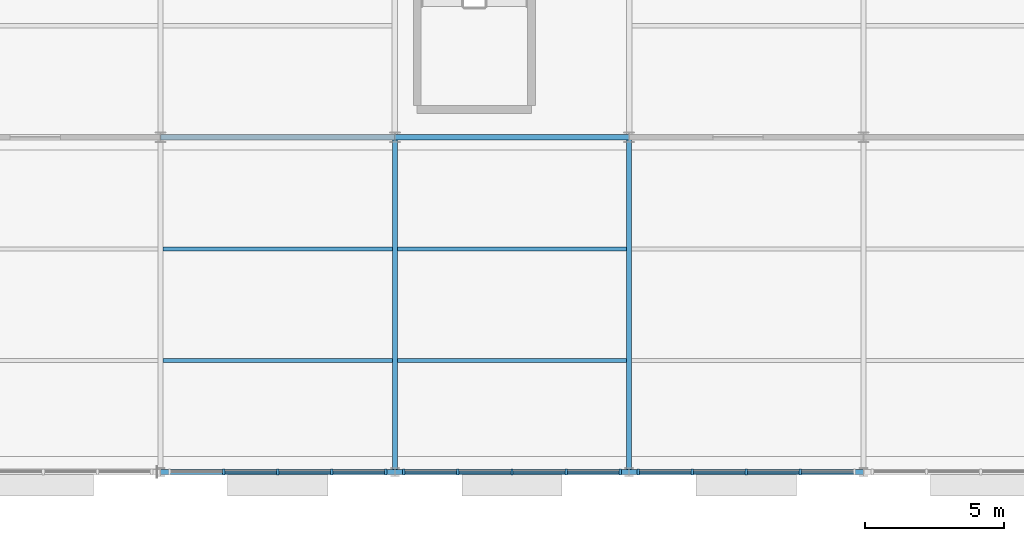
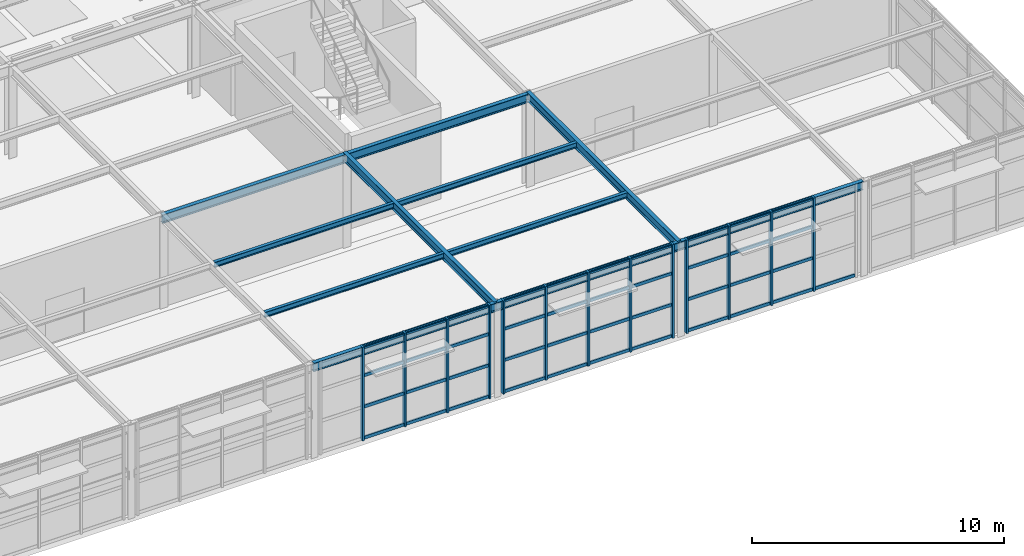
# One storey, part 38 of 82: 54 members, 11 beams, 3 elements without a shape of their own.
"""IFC4 building model written with IfcOpenShell, lengths in metres."""

from ifc_helpers import new_model, si_unit, direction, frame, origin, origin_2d, place, context, subcontext, project, spatial, rectangle, i_section, extrude, material, layer, layer_set, material_profile, profile_set, type_object, element, aggregate, save


model = new_model("IFC4")

# Units and contexts
model_context = context("Model", 3, precision=1e-05, world=origin(), true_north=direction((0.0, 1.0)))
body_context = subcontext(model_context, "Body", "Model", "MODEL_VIEW")
ifc_project = project(units=[si_unit("LENGTHUNIT", "METRE"), si_unit("AREAUNIT", "SQUARE_METRE"), si_unit("VOLUMEUNIT", "CUBIC_METRE"), si_unit("PLANEANGLEUNIT", "RADIAN"), si_unit("MASSUNIT", "GRAM", prefix="KILO")], contexts=[model_context])

# Site, building, storey
site_placement = place(None, origin())
site = spatial("IfcSite", under=ifc_project, at=site_placement, CompositionType="ELEMENT")
building_placement = place(site_placement, origin())
building = spatial("IfcBuilding", under=site, at=building_placement, Name="Sitalva Quay Ferry Terminal", CompositionType="ELEMENT")
storey_placement = place(building_placement, frame((0.0, 0.0, 5.39990234375)))
storey = spatial("IfcBuildingStorey", under=building, at=storey_placement, Name="L02", CompositionType="ELEMENT", Elevation=5.39990234375)

# Beams
ifc_material_1 = material(Name="Structural Steel S355JR", Category="steel")
ifc_material_profile_1 = material_profile(ifc_material_1, i_section(OverallWidth=0.178955078125, OverallDepth=0.409912109375, WebThickness=0.0087890625, FlangeThickness=0.014404296875, FilletRadius=0.012939453125, at=origin_2d()), Name="W410x67")
ifc_profile_set_1 = profile_set([ifc_material_profile_1], Name="Structural Steel S355JR")
beam_type_1 = type_object("IfcBeamType", Name="Beam_W410x67", PredefinedType="BEAM", material=ifc_profile_set_1)
for number, where, z_axis, x_axis, name in (
    (1, (142.800048828125, 6.0, 4.335205078125), (0.0, 1.0, 0.0), (-1.0, 0.0, 0.0), "L02 Primary Y girder 0735"),
    (2, (151.199951171875, 6.0, 4.335205078125), (0.0, 1.0, 0.0), (-1.0, 0.0, 0.0), "L02 Primary Y girder 0736"),
):
    element("IfcBeam", number, at=place(storey_placement, frame(where, z_axis=z_axis, x_axis=x_axis)), inside=storey, type_object=beam_type_1, Name=name, PredefinedType="BEAM", context=body_context, shape_type="SweptSolid", body=[
        extrude(i_section(OverallWidth=0.178955078125, OverallDepth=0.409912109375, WebThickness=0.0087890625, FlangeThickness=0.014404296875, FilletRadius=0.012939453125, at=origin_2d()), origin(), (0.0, 0.0, 1.0), 12.0),
    ])
ifc_material_2 = material(Name="Structural Steel S355JR", Category="steel")
ifc_material_profile_2 = material_profile(ifc_material_2, i_section(OverallWidth=0.180908203125, OverallDepth=0.4169921875, WebThickness=0.010986328125, FlangeThickness=0.018310546875, FilletRadius=0.012939453125, at=origin_2d()), Name="W410x85")
ifc_profile_set_2 = profile_set([ifc_material_profile_2], Name="Structural Steel S355JR")
beam_type_2 = type_object("IfcBeamType", Name="Beam_W410x85", PredefinedType="BEAM", material=ifc_profile_set_2)
beam_1_placement = place(storey_placement, frame((134.39990234375, 6.0, 4.33154296875), z_axis=(1.0, 0.0, 0.0), x_axis=(0.0, 1.0, 0.0)))
element("IfcBeam", 3, at=beam_1_placement, inside=storey, type_object=beam_type_2, Name="L02 Primary X girder 0715", PredefinedType="BEAM", context=body_context, shape_type="SweptSolid", body=[
    extrude(i_section(OverallWidth=0.180908203125, OverallDepth=0.4169921875, WebThickness=0.010986328125, FlangeThickness=0.018310546875, FilletRadius=0.012939453125, at=origin_2d()), origin(), (0.0, 0.0, 1.0), 8.400146484375),
])
beam_2_placement = place(storey_placement, frame((142.800048828125, 6.0, 4.33154296875), z_axis=(1.0, 0.0, 0.0), x_axis=(0.0, 1.0, 0.0)))
element("IfcBeam", 4, at=beam_2_placement, inside=storey, type_object=beam_type_2, Name="L02 Primary X girder 0716", PredefinedType="BEAM", context=body_context, shape_type="SweptSolid", body=[
    extrude(i_section(OverallWidth=0.180908203125, OverallDepth=0.4169921875, WebThickness=0.010986328125, FlangeThickness=0.018310546875, FilletRadius=0.012939453125, at=origin_2d()), origin(), (0.0, 0.0, 1.0), 8.39990234375),
])
for number, where, z_axis, x_axis, name in (
    (5, (151.199951171875, 6.0, 4.33154296875), (1.0, 0.0, 0.0), (0.0, 1.0, 0.0), "L02 Primary X girder 0717"),
    (6, (134.39990234375, 18.0, 4.24169921875), (1.0, 0.0, 0.0), (0.0, 1.0, 0.0), "L02 Primary X girder 0725"),
):
    element("IfcBeam", number, at=place(storey_placement, frame(where, z_axis=z_axis, x_axis=x_axis)), inside=storey, type_object=beam_type_2, Name=name, PredefinedType="BEAM", context=body_context, shape_type="SweptSolid", body=[
        extrude(i_section(OverallWidth=0.180908203125, OverallDepth=0.4169921875, WebThickness=0.010986328125, FlangeThickness=0.018310546875, FilletRadius=0.012939453125, at=origin_2d()), origin(), (0.0, 0.0, 1.0), 8.400146484375),
    ])
beam_3_placement = place(storey_placement, frame((142.800048828125, 18.0, 4.24169921875), z_axis=(1.0, 0.0, 0.0), x_axis=(0.0, 1.0, 0.0)))
element("IfcBeam", 7, at=beam_3_placement, inside=storey, type_object=beam_type_2, Name="L02 Primary X girder 0726", PredefinedType="BEAM", context=body_context, shape_type="SweptSolid", body=[
    extrude(i_section(OverallWidth=0.180908203125, OverallDepth=0.4169921875, WebThickness=0.010986328125, FlangeThickness=0.018310546875, FilletRadius=0.012939453125, at=origin_2d()), origin(), (0.0, 0.0, 1.0), 8.39990234375),
])
ifc_material_3 = material(Name="Structural Steel S355JR", Category="steel")
ifc_material_profile_3 = material_profile(ifc_material_3, i_section(OverallWidth=0.14697265625, OverallDepth=0.261962890625, WebThickness=0.006591796875, FlangeThickness=0.01123046875, FilletRadius=0.010009765625, at=origin_2d()), Name="W250x39")
ifc_profile_set_3 = profile_set([ifc_material_profile_3], Name="Structural Steel S355JR")
beam_type_3 = type_object("IfcBeamType", Name="Joist_W250x39", PredefinedType="JOIST", material=ifc_profile_set_3)
beam_4_placement = place(storey_placement, frame((134.489501953125, 10.0, 4.4091796875), z_axis=(1.0, 0.0, 0.0), x_axis=(0.0, 1.0, 0.0)))
element("IfcBeam", 8, at=beam_4_placement, inside=storey, type_object=beam_type_3, Name="L02 Secondary joist 0745", PredefinedType="JOIST", context=body_context, shape_type="SweptSolid", body=[
    extrude(i_section(OverallWidth=0.14697265625, OverallDepth=0.261962890625, WebThickness=0.006591796875, FlangeThickness=0.01123046875, FilletRadius=0.010009765625, at=origin_2d()), origin(), (0.0, 0.0, 1.0), 8.220947265625),
])
beam_5_placement = place(storey_placement, frame((142.889404296875, 10.0, 4.4091796875), z_axis=(1.0, 0.0, 0.0), x_axis=(0.0, 1.0, 0.0)))
element("IfcBeam", 9, at=beam_5_placement, inside=storey, type_object=beam_type_3, Name="L02 Secondary joist 0746", PredefinedType="JOIST", context=body_context, shape_type="SweptSolid", body=[
    extrude(i_section(OverallWidth=0.14697265625, OverallDepth=0.261962890625, WebThickness=0.006591796875, FlangeThickness=0.01123046875, FilletRadius=0.010009765625, at=origin_2d()), origin(), (0.0, 0.0, 1.0), 8.22119140625),
])
beam_6_placement = place(storey_placement, frame((134.489501953125, 14.0, 4.4091796875), z_axis=(1.0, 0.0, 0.0), x_axis=(0.0, 1.0, 0.0)))
element("IfcBeam", 10, at=beam_6_placement, inside=storey, type_object=beam_type_3, Name="L02 Secondary joist 0755", PredefinedType="JOIST", context=body_context, shape_type="SweptSolid", body=[
    extrude(i_section(OverallWidth=0.14697265625, OverallDepth=0.261962890625, WebThickness=0.006591796875, FlangeThickness=0.01123046875, FilletRadius=0.010009765625, at=origin_2d()), origin(), (0.0, 0.0, 1.0), 8.220947265625),
])
beam_7_placement = place(storey_placement, frame((142.889404296875, 14.0, 4.4091796875), z_axis=(1.0, 0.0, 0.0), x_axis=(0.0, 1.0, 0.0)))
element("IfcBeam", 11, at=beam_7_placement, inside=storey, type_object=beam_type_3, Name="L02 Secondary joist 0756", PredefinedType="JOIST", context=body_context, shape_type="SweptSolid", body=[
    extrude(i_section(OverallWidth=0.14697265625, OverallDepth=0.261962890625, WebThickness=0.006591796875, FlangeThickness=0.01123046875, FilletRadius=0.010009765625, at=origin_2d()), origin(), (0.0, 0.0, 1.0), 8.22119140625),
])

# Curtain wall, members
ifc_material_4 = material(Name="Anodised Aluminium & Low-E Glazing", Category="aluminium")
ifc_layer = layer(ifc_material_4, 0.159912109375)
ifc_layer_set = layer_set([ifc_layer], Name="Anodised Aluminium & Low-E Glazing")
curtain_wall_type = type_object("IfcCurtainWallType", Name="CW_Concourse_Unitised", PredefinedType="USERDEFINED", material=ifc_layer_set)
curtain_wall_1_placement = place(storey_placement, origin())
curtain_wall_1 = element("IfcCurtainWall", 12, at=curtain_wall_1_placement, inside=storey, type_object=curtain_wall_type, Name="L02 waterfront boarding concourse glazing (CW-L02-068)", ObjectType="CURTAIN_WALL", PredefinedType="USERDEFINED")
ifc_material_5 = material(Name="Anodised Aluminium 6063-T6", Category="aluminium")
ifc_material_profile_4 = material_profile(ifc_material_5, rectangle(XDim=0.0849609375, YDim=0.2099609375, at=origin_2d()), Name="ALU85x210")
ifc_profile_set_4 = profile_set([ifc_material_profile_4], Name="Anodised Aluminium 6063-T6")
member_type_1 = type_object("IfcMemberType", Name="Mullion_Alu_85x210", PredefinedType="MULLION", material=ifc_profile_set_4)
member_1_placement = place(storey_placement, frame((136.659912109375, 6.0, 0.0), z_axis=(0.0, 0.0, 1.0), x_axis=(1.0, 0.0, 0.0)))
member_1 = element("IfcMember", 13, at=member_1_placement, type_object=member_type_1, Name="CW-L02-068-M1", PredefinedType="MULLION", context=body_context, shape_type="SweptSolid", body=[
    extrude(rectangle(XDim=0.0849609375, YDim=0.2099609375, at=origin_2d()), origin(), (0.0, 0.0, 1.0), 4.5400390625),
])
member_2_placement = place(storey_placement, frame((138.60009765625, 6.0, 0.0), z_axis=(0.0, 0.0, 1.0), x_axis=(1.0, 0.0, 0.0)))
member_2 = element("IfcMember", 14, at=member_2_placement, type_object=member_type_1, Name="CW-L02-068-M2", PredefinedType="MULLION", context=body_context, shape_type="SweptSolid", body=[
    extrude(rectangle(XDim=0.0849609375, YDim=0.2099609375, at=origin_2d()), origin(), (0.0, 0.0, 1.0), 4.5400390625),
])
member_3_placement = place(storey_placement, frame((140.5400390625, 6.0, 0.0), z_axis=(0.0, 0.0, 1.0), x_axis=(1.0, 0.0, 0.0)))
member_3 = element("IfcMember", 15, at=member_3_placement, type_object=member_type_1, Name="CW-L02-068-M3", PredefinedType="MULLION", context=body_context, shape_type="SweptSolid", body=[
    extrude(rectangle(XDim=0.0849609375, YDim=0.2099609375, at=origin_2d()), origin(), (0.0, 0.0, 1.0), 4.5400390625),
])
member_4_placement = place(storey_placement, frame((142.47998046875, 6.0, 0.0), z_axis=(0.0, 0.0, 1.0), x_axis=(1.0, 0.0, 0.0)))
member_4 = element("IfcMember", 16, at=member_4_placement, type_object=member_type_1, Name="CW-L02-068-M4", PredefinedType="MULLION", context=body_context, shape_type="SweptSolid", body=[
    extrude(rectangle(XDim=0.0849609375, YDim=0.2099609375, at=origin_2d()), origin(), (0.0, 0.0, 1.0), 4.5400390625),
])

curtain_wall_2_placement = place(storey_placement, origin())
curtain_wall_2 = element("IfcCurtainWall", 17, at=curtain_wall_2_placement, inside=storey, type_object=curtain_wall_type, Name="L02 waterfront boarding concourse glazing (CW-L02-069)", ObjectType="CURTAIN_WALL", PredefinedType="USERDEFINED")
member_5_placement = place(storey_placement, frame((143.1201171875, 6.0, 0.0), z_axis=(0.0, 0.0, 1.0), x_axis=(1.0, 0.0, 0.0)))
member_5 = element("IfcMember", 18, at=member_5_placement, type_object=member_type_1, Name="CW-L02-069-M0", PredefinedType="MULLION", context=body_context, shape_type="SweptSolid", body=[
    extrude(rectangle(XDim=0.0849609375, YDim=0.2099609375, at=origin_2d()), origin(), (0.0, 0.0, 1.0), 4.5400390625),
])
member_6_placement = place(storey_placement, frame((145.06005859375, 6.0, 0.0), z_axis=(0.0, 0.0, 1.0), x_axis=(1.0, 0.0, 0.0)))
member_6 = element("IfcMember", 19, at=member_6_placement, type_object=member_type_1, Name="CW-L02-069-M1", PredefinedType="MULLION", context=body_context, shape_type="SweptSolid", body=[
    extrude(rectangle(XDim=0.0849609375, YDim=0.2099609375, at=origin_2d()), origin(), (0.0, 0.0, 1.0), 4.5400390625),
])
member_7_placement = place(storey_placement, frame((147.0, 6.0, 0.0), z_axis=(0.0, 0.0, 1.0), x_axis=(1.0, 0.0, 0.0)))
member_7 = element("IfcMember", 20, at=member_7_placement, type_object=member_type_1, Name="CW-L02-069-M2", PredefinedType="MULLION", context=body_context, shape_type="SweptSolid", body=[
    extrude(rectangle(XDim=0.0849609375, YDim=0.2099609375, at=origin_2d()), origin(), (0.0, 0.0, 1.0), 4.5400390625),
])
member_8_placement = place(storey_placement, frame((148.93994140625, 6.0, 0.0), z_axis=(0.0, 0.0, 1.0), x_axis=(1.0, 0.0, 0.0)))
member_8 = element("IfcMember", 21, at=member_8_placement, type_object=member_type_1, Name="CW-L02-069-M3", PredefinedType="MULLION", context=body_context, shape_type="SweptSolid", body=[
    extrude(rectangle(XDim=0.0849609375, YDim=0.2099609375, at=origin_2d()), origin(), (0.0, 0.0, 1.0), 4.5400390625),
])
member_9_placement = place(storey_placement, frame((150.8798828125, 6.0, 0.0), z_axis=(0.0, 0.0, 1.0), x_axis=(1.0, 0.0, 0.0)))
member_9 = element("IfcMember", 22, at=member_9_placement, type_object=member_type_1, Name="CW-L02-069-M4", PredefinedType="MULLION", context=body_context, shape_type="SweptSolid", body=[
    extrude(rectangle(XDim=0.0849609375, YDim=0.2099609375, at=origin_2d()), origin(), (0.0, 0.0, 1.0), 4.5400390625),
])

curtain_wall_3_placement = place(storey_placement, origin())
curtain_wall_3 = element("IfcCurtainWall", 23, at=curtain_wall_3_placement, inside=storey, type_object=curtain_wall_type, Name="L02 waterfront boarding concourse glazing (CW-L02-071)", ObjectType="CURTAIN_WALL", PredefinedType="USERDEFINED")
member_10_placement = place(storey_placement, frame((151.52001953125, 6.0, 0.0), z_axis=(0.0, 0.0, 1.0), x_axis=(1.0, 0.0, 0.0)))
member_10 = element("IfcMember", 24, at=member_10_placement, type_object=member_type_1, Name="CW-L02-071-M0", PredefinedType="MULLION", context=body_context, shape_type="SweptSolid", body=[
    extrude(rectangle(XDim=0.0849609375, YDim=0.2099609375, at=origin_2d()), origin(), (0.0, 0.0, 1.0), 4.5400390625),
])
member_11_placement = place(storey_placement, frame((153.4599609375, 6.0, 0.0), z_axis=(0.0, 0.0, 1.0), x_axis=(1.0, 0.0, 0.0)))
member_11 = element("IfcMember", 25, at=member_11_placement, type_object=member_type_1, Name="CW-L02-071-M1", PredefinedType="MULLION", context=body_context, shape_type="SweptSolid", body=[
    extrude(rectangle(XDim=0.0849609375, YDim=0.2099609375, at=origin_2d()), origin(), (0.0, 0.0, 1.0), 4.5400390625),
])
member_12_placement = place(storey_placement, frame((155.39990234375, 6.0, 0.0), z_axis=(0.0, 0.0, 1.0), x_axis=(1.0, 0.0, 0.0)))
member_12 = element("IfcMember", 26, at=member_12_placement, type_object=member_type_1, Name="CW-L02-071-M2", PredefinedType="MULLION", context=body_context, shape_type="SweptSolid", body=[
    extrude(rectangle(XDim=0.0849609375, YDim=0.2099609375, at=origin_2d()), origin(), (0.0, 0.0, 1.0), 4.5400390625),
])
member_13_placement = place(storey_placement, frame((157.340087890625, 6.0, 0.0), z_axis=(0.0, 0.0, 1.0), x_axis=(1.0, 0.0, 0.0)))
member_13 = element("IfcMember", 27, at=member_13_placement, type_object=member_type_1, Name="CW-L02-071-M3", PredefinedType="MULLION", context=body_context, shape_type="SweptSolid", body=[
    extrude(rectangle(XDim=0.0849609375, YDim=0.2099609375, at=origin_2d()), origin(), (0.0, 0.0, 1.0), 4.5400390625),
])

# Member
ifc_material_6 = material(Name="Anodised Aluminium 6063-T6", Category="aluminium")
ifc_material_profile_5 = material_profile(ifc_material_6, rectangle(XDim=0.074951171875, YDim=0.14990234375, at=origin_2d()), Name="ALU75x150")
ifc_profile_set_5 = profile_set([ifc_material_profile_5], Name="Anodised Aluminium 6063-T6")
member_type_2 = type_object("IfcMemberType", Name="Transom_Alu_75x140", PredefinedType="MULLION", material=ifc_profile_set_5)
member_14_placement = place(storey_placement, frame((136.702392578125, 6.0, 0.0751953125), z_axis=(1.0, 0.0, 0.0), x_axis=(0.0, 1.0, 0.0)))
member_14 = element("IfcMember", 28, at=member_14_placement, type_object=member_type_2, Name="CW-L02-068-T1-0", ObjectType="TRANSOM", PredefinedType="USERDEFINED", context=body_context, shape_type="SweptSolid", body=[
    extrude(rectangle(XDim=0.074951171875, YDim=0.14990234375, at=origin_2d()), origin(), (0.0, 0.0, 1.0), 1.855224609375),
])

member_15_placement = place(storey_placement, frame((136.702392578125, 6.0, 1.58837890625), z_axis=(1.0, 0.0, 0.0), x_axis=(0.0, 1.0, 0.0)))
member_15 = element("IfcMember", 29, at=member_15_placement, type_object=member_type_2, Name="CW-L02-068-T1-1", ObjectType="TRANSOM", PredefinedType="USERDEFINED", context=body_context, shape_type="SweptSolid", body=[
    extrude(rectangle(XDim=0.074951171875, YDim=0.14990234375, at=origin_2d()), origin(), (0.0, 0.0, 1.0), 1.855224609375),
])

member_16_placement = place(storey_placement, frame((136.702392578125, 6.0, 3.101806640625), z_axis=(1.0, 0.0, 0.0), x_axis=(0.0, 1.0, 0.0)))
member_16 = element("IfcMember", 30, at=member_16_placement, type_object=member_type_2, Name="CW-L02-068-T1-2", ObjectType="TRANSOM", PredefinedType="USERDEFINED", context=body_context, shape_type="SweptSolid", body=[
    extrude(rectangle(XDim=0.074951171875, YDim=0.14990234375, at=origin_2d()), origin(), (0.0, 0.0, 1.0), 1.855224609375),
])

member_17_placement = place(storey_placement, frame((136.702392578125, 6.0, 4.465087890625), z_axis=(1.0, 0.0, 0.0), x_axis=(0.0, 1.0, 0.0)))
member_17 = element("IfcMember", 31, at=member_17_placement, type_object=member_type_2, Name="CW-L02-068-T1-3", ObjectType="TRANSOM", PredefinedType="USERDEFINED", context=body_context, shape_type="SweptSolid", body=[
    extrude(rectangle(XDim=0.074951171875, YDim=0.14990234375, at=origin_2d()), origin(), (0.0, 0.0, 1.0), 1.855224609375),
])

member_18_placement = place(storey_placement, frame((138.642578125, 6.0, 0.0751953125), z_axis=(1.0, 0.0, 0.0), x_axis=(0.0, 1.0, 0.0)))
member_18 = element("IfcMember", 32, at=member_18_placement, type_object=member_type_2, Name="CW-L02-068-T2-0", ObjectType="TRANSOM", PredefinedType="USERDEFINED", context=body_context, shape_type="SweptSolid", body=[
    extrude(rectangle(XDim=0.074951171875, YDim=0.14990234375, at=origin_2d()), origin(), (0.0, 0.0, 1.0), 1.85498046875),
])

member_19_placement = place(storey_placement, frame((138.642578125, 6.0, 1.58837890625), z_axis=(1.0, 0.0, 0.0), x_axis=(0.0, 1.0, 0.0)))
member_19 = element("IfcMember", 33, at=member_19_placement, type_object=member_type_2, Name="CW-L02-068-T2-1", ObjectType="TRANSOM", PredefinedType="USERDEFINED", context=body_context, shape_type="SweptSolid", body=[
    extrude(rectangle(XDim=0.074951171875, YDim=0.14990234375, at=origin_2d()), origin(), (0.0, 0.0, 1.0), 1.85498046875),
])

member_20_placement = place(storey_placement, frame((138.642578125, 6.0, 3.101806640625), z_axis=(1.0, 0.0, 0.0), x_axis=(0.0, 1.0, 0.0)))
member_20 = element("IfcMember", 34, at=member_20_placement, type_object=member_type_2, Name="CW-L02-068-T2-2", ObjectType="TRANSOM", PredefinedType="USERDEFINED", context=body_context, shape_type="SweptSolid", body=[
    extrude(rectangle(XDim=0.074951171875, YDim=0.14990234375, at=origin_2d()), origin(), (0.0, 0.0, 1.0), 1.85498046875),
])

member_21_placement = place(storey_placement, frame((138.642578125, 6.0, 4.465087890625), z_axis=(1.0, 0.0, 0.0), x_axis=(0.0, 1.0, 0.0)))
member_21 = element("IfcMember", 35, at=member_21_placement, type_object=member_type_2, Name="CW-L02-068-T2-3", ObjectType="TRANSOM", PredefinedType="USERDEFINED", context=body_context, shape_type="SweptSolid", body=[
    extrude(rectangle(XDim=0.074951171875, YDim=0.14990234375, at=origin_2d()), origin(), (0.0, 0.0, 1.0), 1.85498046875),
])

member_22_placement = place(storey_placement, frame((140.58251953125, 6.0, 0.0751953125), z_axis=(1.0, 0.0, 0.0), x_axis=(0.0, 1.0, 0.0)))
member_22 = element("IfcMember", 36, at=member_22_placement, type_object=member_type_2, Name="CW-L02-068-T3-0", ObjectType="TRANSOM", PredefinedType="USERDEFINED", context=body_context, shape_type="SweptSolid", body=[
    extrude(rectangle(XDim=0.074951171875, YDim=0.14990234375, at=origin_2d()), origin(), (0.0, 0.0, 1.0), 1.85498046875),
])

member_23_placement = place(storey_placement, frame((140.58251953125, 6.0, 1.58837890625), z_axis=(1.0, 0.0, 0.0), x_axis=(0.0, 1.0, 0.0)))
member_23 = element("IfcMember", 37, at=member_23_placement, type_object=member_type_2, Name="CW-L02-068-T3-1", ObjectType="TRANSOM", PredefinedType="USERDEFINED", context=body_context, shape_type="SweptSolid", body=[
    extrude(rectangle(XDim=0.074951171875, YDim=0.14990234375, at=origin_2d()), origin(), (0.0, 0.0, 1.0), 1.85498046875),
])

member_24_placement = place(storey_placement, frame((140.58251953125, 6.0, 3.101806640625), z_axis=(1.0, 0.0, 0.0), x_axis=(0.0, 1.0, 0.0)))
member_24 = element("IfcMember", 38, at=member_24_placement, type_object=member_type_2, Name="CW-L02-068-T3-2", ObjectType="TRANSOM", PredefinedType="USERDEFINED", context=body_context, shape_type="SweptSolid", body=[
    extrude(rectangle(XDim=0.074951171875, YDim=0.14990234375, at=origin_2d()), origin(), (0.0, 0.0, 1.0), 1.85498046875),
])

member_25_placement = place(storey_placement, frame((140.58251953125, 6.0, 4.465087890625), z_axis=(1.0, 0.0, 0.0), x_axis=(0.0, 1.0, 0.0)))
member_25 = element("IfcMember", 39, at=member_25_placement, type_object=member_type_2, Name="CW-L02-068-T3-3", ObjectType="TRANSOM", PredefinedType="USERDEFINED", context=body_context, shape_type="SweptSolid", body=[
    extrude(rectangle(XDim=0.074951171875, YDim=0.14990234375, at=origin_2d()), origin(), (0.0, 0.0, 1.0), 1.85498046875),
])

aggregate(curtain_wall_1, [member_1, member_2, member_3, member_4, member_14, member_15, member_16, member_17, member_18, member_19, member_20, member_21, member_22, member_23, member_24, member_25])

member_26_placement = place(storey_placement, frame((143.16259765625, 6.0, 0.0751953125), z_axis=(1.0, 0.0, 0.0), x_axis=(0.0, 1.0, 0.0)))
member_26 = element("IfcMember", 40, at=member_26_placement, type_object=member_type_2, Name="CW-L02-069-T0-0", ObjectType="TRANSOM", PredefinedType="USERDEFINED", context=body_context, shape_type="SweptSolid", body=[
    extrude(rectangle(XDim=0.074951171875, YDim=0.14990234375, at=origin_2d()), origin(), (0.0, 0.0, 1.0), 1.85498046875),
])

member_27_placement = place(storey_placement, frame((143.16259765625, 6.0, 1.58837890625), z_axis=(1.0, 0.0, 0.0), x_axis=(0.0, 1.0, 0.0)))
member_27 = element("IfcMember", 41, at=member_27_placement, type_object=member_type_2, Name="CW-L02-069-T0-1", ObjectType="TRANSOM", PredefinedType="USERDEFINED", context=body_context, shape_type="SweptSolid", body=[
    extrude(rectangle(XDim=0.074951171875, YDim=0.14990234375, at=origin_2d()), origin(), (0.0, 0.0, 1.0), 1.85498046875),
])

member_28_placement = place(storey_placement, frame((143.16259765625, 6.0, 3.101806640625), z_axis=(1.0, 0.0, 0.0), x_axis=(0.0, 1.0, 0.0)))
member_28 = element("IfcMember", 42, at=member_28_placement, type_object=member_type_2, Name="CW-L02-069-T0-2", ObjectType="TRANSOM", PredefinedType="USERDEFINED", context=body_context, shape_type="SweptSolid", body=[
    extrude(rectangle(XDim=0.074951171875, YDim=0.14990234375, at=origin_2d()), origin(), (0.0, 0.0, 1.0), 1.85498046875),
])

member_29_placement = place(storey_placement, frame((143.16259765625, 6.0, 4.465087890625), z_axis=(1.0, 0.0, 0.0), x_axis=(0.0, 1.0, 0.0)))
member_29 = element("IfcMember", 43, at=member_29_placement, type_object=member_type_2, Name="CW-L02-069-T0-3", ObjectType="TRANSOM", PredefinedType="USERDEFINED", context=body_context, shape_type="SweptSolid", body=[
    extrude(rectangle(XDim=0.074951171875, YDim=0.14990234375, at=origin_2d()), origin(), (0.0, 0.0, 1.0), 1.85498046875),
])

member_30_placement = place(storey_placement, frame((145.1025390625, 6.0, 0.0751953125), z_axis=(1.0, 0.0, 0.0), x_axis=(0.0, 1.0, 0.0)))
member_30 = element("IfcMember", 44, at=member_30_placement, type_object=member_type_2, Name="CW-L02-069-T1-0", ObjectType="TRANSOM", PredefinedType="USERDEFINED", context=body_context, shape_type="SweptSolid", body=[
    extrude(rectangle(XDim=0.074951171875, YDim=0.14990234375, at=origin_2d()), origin(), (0.0, 0.0, 1.0), 1.85498046875),
])

member_31_placement = place(storey_placement, frame((145.1025390625, 6.0, 1.58837890625), z_axis=(1.0, 0.0, 0.0), x_axis=(0.0, 1.0, 0.0)))
member_31 = element("IfcMember", 45, at=member_31_placement, type_object=member_type_2, Name="CW-L02-069-T1-1", ObjectType="TRANSOM", PredefinedType="USERDEFINED", context=body_context, shape_type="SweptSolid", body=[
    extrude(rectangle(XDim=0.074951171875, YDim=0.14990234375, at=origin_2d()), origin(), (0.0, 0.0, 1.0), 1.85498046875),
])

member_32_placement = place(storey_placement, frame((145.1025390625, 6.0, 3.101806640625), z_axis=(1.0, 0.0, 0.0), x_axis=(0.0, 1.0, 0.0)))
member_32 = element("IfcMember", 46, at=member_32_placement, type_object=member_type_2, Name="CW-L02-069-T1-2", ObjectType="TRANSOM", PredefinedType="USERDEFINED", context=body_context, shape_type="SweptSolid", body=[
    extrude(rectangle(XDim=0.074951171875, YDim=0.14990234375, at=origin_2d()), origin(), (0.0, 0.0, 1.0), 1.85498046875),
])

member_33_placement = place(storey_placement, frame((145.1025390625, 6.0, 4.465087890625), z_axis=(1.0, 0.0, 0.0), x_axis=(0.0, 1.0, 0.0)))
member_33 = element("IfcMember", 47, at=member_33_placement, type_object=member_type_2, Name="CW-L02-069-T1-3", ObjectType="TRANSOM", PredefinedType="USERDEFINED", context=body_context, shape_type="SweptSolid", body=[
    extrude(rectangle(XDim=0.074951171875, YDim=0.14990234375, at=origin_2d()), origin(), (0.0, 0.0, 1.0), 1.85498046875),
])

member_34_placement = place(storey_placement, frame((147.04248046875, 6.0, 0.0751953125), z_axis=(1.0, 0.0, 0.0), x_axis=(0.0, 1.0, 0.0)))
member_34 = element("IfcMember", 48, at=member_34_placement, type_object=member_type_2, Name="CW-L02-069-T2-0", ObjectType="TRANSOM", PredefinedType="USERDEFINED", context=body_context, shape_type="SweptSolid", body=[
    extrude(rectangle(XDim=0.074951171875, YDim=0.14990234375, at=origin_2d()), origin(), (0.0, 0.0, 1.0), 1.85498046875),
])

member_35_placement = place(storey_placement, frame((147.04248046875, 6.0, 1.58837890625), z_axis=(1.0, 0.0, 0.0), x_axis=(0.0, 1.0, 0.0)))
member_35 = element("IfcMember", 49, at=member_35_placement, type_object=member_type_2, Name="CW-L02-069-T2-1", ObjectType="TRANSOM", PredefinedType="USERDEFINED", context=body_context, shape_type="SweptSolid", body=[
    extrude(rectangle(XDim=0.074951171875, YDim=0.14990234375, at=origin_2d()), origin(), (0.0, 0.0, 1.0), 1.85498046875),
])

member_36_placement = place(storey_placement, frame((147.04248046875, 6.0, 3.101806640625), z_axis=(1.0, 0.0, 0.0), x_axis=(0.0, 1.0, 0.0)))
member_36 = element("IfcMember", 50, at=member_36_placement, type_object=member_type_2, Name="CW-L02-069-T2-2", ObjectType="TRANSOM", PredefinedType="USERDEFINED", context=body_context, shape_type="SweptSolid", body=[
    extrude(rectangle(XDim=0.074951171875, YDim=0.14990234375, at=origin_2d()), origin(), (0.0, 0.0, 1.0), 1.85498046875),
])

member_37_placement = place(storey_placement, frame((147.04248046875, 6.0, 4.465087890625), z_axis=(1.0, 0.0, 0.0), x_axis=(0.0, 1.0, 0.0)))
member_37 = element("IfcMember", 51, at=member_37_placement, type_object=member_type_2, Name="CW-L02-069-T2-3", ObjectType="TRANSOM", PredefinedType="USERDEFINED", context=body_context, shape_type="SweptSolid", body=[
    extrude(rectangle(XDim=0.074951171875, YDim=0.14990234375, at=origin_2d()), origin(), (0.0, 0.0, 1.0), 1.85498046875),
])

member_38_placement = place(storey_placement, frame((148.982421875, 6.0, 0.0751953125), z_axis=(1.0, 0.0, 0.0), x_axis=(0.0, 1.0, 0.0)))
member_38 = element("IfcMember", 52, at=member_38_placement, type_object=member_type_2, Name="CW-L02-069-T3-0", ObjectType="TRANSOM", PredefinedType="USERDEFINED", context=body_context, shape_type="SweptSolid", body=[
    extrude(rectangle(XDim=0.074951171875, YDim=0.14990234375, at=origin_2d()), origin(), (0.0, 0.0, 1.0), 1.85498046875),
])

member_39_placement = place(storey_placement, frame((148.982421875, 6.0, 1.58837890625), z_axis=(1.0, 0.0, 0.0), x_axis=(0.0, 1.0, 0.0)))
member_39 = element("IfcMember", 53, at=member_39_placement, type_object=member_type_2, Name="CW-L02-069-T3-1", ObjectType="TRANSOM", PredefinedType="USERDEFINED", context=body_context, shape_type="SweptSolid", body=[
    extrude(rectangle(XDim=0.074951171875, YDim=0.14990234375, at=origin_2d()), origin(), (0.0, 0.0, 1.0), 1.85498046875),
])

member_40_placement = place(storey_placement, frame((148.982421875, 6.0, 3.101806640625), z_axis=(1.0, 0.0, 0.0), x_axis=(0.0, 1.0, 0.0)))
member_40 = element("IfcMember", 54, at=member_40_placement, type_object=member_type_2, Name="CW-L02-069-T3-2", ObjectType="TRANSOM", PredefinedType="USERDEFINED", context=body_context, shape_type="SweptSolid", body=[
    extrude(rectangle(XDim=0.074951171875, YDim=0.14990234375, at=origin_2d()), origin(), (0.0, 0.0, 1.0), 1.85498046875),
])

member_41_placement = place(storey_placement, frame((148.982421875, 6.0, 4.465087890625), z_axis=(1.0, 0.0, 0.0), x_axis=(0.0, 1.0, 0.0)))
member_41 = element("IfcMember", 55, at=member_41_placement, type_object=member_type_2, Name="CW-L02-069-T3-3", ObjectType="TRANSOM", PredefinedType="USERDEFINED", context=body_context, shape_type="SweptSolid", body=[
    extrude(rectangle(XDim=0.074951171875, YDim=0.14990234375, at=origin_2d()), origin(), (0.0, 0.0, 1.0), 1.85498046875),
])

aggregate(curtain_wall_2, [member_5, member_6, member_7, member_8, member_9, member_26, member_27, member_28, member_29, member_30, member_31, member_32, member_33, member_34, member_35, member_36, member_37, member_38, member_39, member_40, member_41])

member_42_placement = place(storey_placement, frame((151.5625, 6.0, 0.0751953125), z_axis=(1.0, 0.0, 0.0), x_axis=(0.0, 1.0, 0.0)))
member_42 = element("IfcMember", 56, at=member_42_placement, type_object=member_type_2, Name="CW-L02-071-T0-0", ObjectType="TRANSOM", PredefinedType="USERDEFINED", context=body_context, shape_type="SweptSolid", body=[
    extrude(rectangle(XDim=0.074951171875, YDim=0.14990234375, at=origin_2d()), origin(), (0.0, 0.0, 1.0), 1.85498046875),
])

member_43_placement = place(storey_placement, frame((151.5625, 6.0, 1.58837890625), z_axis=(1.0, 0.0, 0.0), x_axis=(0.0, 1.0, 0.0)))
member_43 = element("IfcMember", 57, at=member_43_placement, type_object=member_type_2, Name="CW-L02-071-T0-1", ObjectType="TRANSOM", PredefinedType="USERDEFINED", context=body_context, shape_type="SweptSolid", body=[
    extrude(rectangle(XDim=0.074951171875, YDim=0.14990234375, at=origin_2d()), origin(), (0.0, 0.0, 1.0), 1.85498046875),
])

member_44_placement = place(storey_placement, frame((151.5625, 6.0, 3.101806640625), z_axis=(1.0, 0.0, 0.0), x_axis=(0.0, 1.0, 0.0)))
member_44 = element("IfcMember", 58, at=member_44_placement, type_object=member_type_2, Name="CW-L02-071-T0-2", ObjectType="TRANSOM", PredefinedType="USERDEFINED", context=body_context, shape_type="SweptSolid", body=[
    extrude(rectangle(XDim=0.074951171875, YDim=0.14990234375, at=origin_2d()), origin(), (0.0, 0.0, 1.0), 1.85498046875),
])

member_45_placement = place(storey_placement, frame((151.5625, 6.0, 4.465087890625), z_axis=(1.0, 0.0, 0.0), x_axis=(0.0, 1.0, 0.0)))
member_45 = element("IfcMember", 59, at=member_45_placement, type_object=member_type_2, Name="CW-L02-071-T0-3", ObjectType="TRANSOM", PredefinedType="USERDEFINED", context=body_context, shape_type="SweptSolid", body=[
    extrude(rectangle(XDim=0.074951171875, YDim=0.14990234375, at=origin_2d()), origin(), (0.0, 0.0, 1.0), 1.85498046875),
])

member_46_placement = place(storey_placement, frame((153.50244140625, 6.0, 0.0751953125), z_axis=(1.0, 0.0, 0.0), x_axis=(0.0, 1.0, 0.0)))
member_46 = element("IfcMember", 60, at=member_46_placement, type_object=member_type_2, Name="CW-L02-071-T1-0", ObjectType="TRANSOM", PredefinedType="USERDEFINED", context=body_context, shape_type="SweptSolid", body=[
    extrude(rectangle(XDim=0.074951171875, YDim=0.14990234375, at=origin_2d()), origin(), (0.0, 0.0, 1.0), 1.85498046875),
])

member_47_placement = place(storey_placement, frame((153.50244140625, 6.0, 1.58837890625), z_axis=(1.0, 0.0, 0.0), x_axis=(0.0, 1.0, 0.0)))
member_47 = element("IfcMember", 61, at=member_47_placement, type_object=member_type_2, Name="CW-L02-071-T1-1", ObjectType="TRANSOM", PredefinedType="USERDEFINED", context=body_context, shape_type="SweptSolid", body=[
    extrude(rectangle(XDim=0.074951171875, YDim=0.14990234375, at=origin_2d()), origin(), (0.0, 0.0, 1.0), 1.85498046875),
])

member_48_placement = place(storey_placement, frame((153.50244140625, 6.0, 3.101806640625), z_axis=(1.0, 0.0, 0.0), x_axis=(0.0, 1.0, 0.0)))
member_48 = element("IfcMember", 62, at=member_48_placement, type_object=member_type_2, Name="CW-L02-071-T1-2", ObjectType="TRANSOM", PredefinedType="USERDEFINED", context=body_context, shape_type="SweptSolid", body=[
    extrude(rectangle(XDim=0.074951171875, YDim=0.14990234375, at=origin_2d()), origin(), (0.0, 0.0, 1.0), 1.85498046875),
])

member_49_placement = place(storey_placement, frame((153.50244140625, 6.0, 4.465087890625), z_axis=(1.0, 0.0, 0.0), x_axis=(0.0, 1.0, 0.0)))
member_49 = element("IfcMember", 63, at=member_49_placement, type_object=member_type_2, Name="CW-L02-071-T1-3", ObjectType="TRANSOM", PredefinedType="USERDEFINED", context=body_context, shape_type="SweptSolid", body=[
    extrude(rectangle(XDim=0.074951171875, YDim=0.14990234375, at=origin_2d()), origin(), (0.0, 0.0, 1.0), 1.85498046875),
])

member_50_placement = place(storey_placement, frame((155.4423828125, 6.0, 0.0751953125), z_axis=(1.0, 0.0, 0.0), x_axis=(0.0, 1.0, 0.0)))
member_50 = element("IfcMember", 64, at=member_50_placement, type_object=member_type_2, Name="CW-L02-071-T2-0", ObjectType="TRANSOM", PredefinedType="USERDEFINED", context=body_context, shape_type="SweptSolid", body=[
    extrude(rectangle(XDim=0.074951171875, YDim=0.14990234375, at=origin_2d()), origin(), (0.0, 0.0, 1.0), 1.855224609375),
])

member_51_placement = place(storey_placement, frame((155.4423828125, 6.0, 1.58837890625), z_axis=(1.0, 0.0, 0.0), x_axis=(0.0, 1.0, 0.0)))
member_51 = element("IfcMember", 65, at=member_51_placement, type_object=member_type_2, Name="CW-L02-071-T2-1", ObjectType="TRANSOM", PredefinedType="USERDEFINED", context=body_context, shape_type="SweptSolid", body=[
    extrude(rectangle(XDim=0.074951171875, YDim=0.14990234375, at=origin_2d()), origin(), (0.0, 0.0, 1.0), 1.855224609375),
])

member_52_placement = place(storey_placement, frame((155.4423828125, 6.0, 3.101806640625), z_axis=(1.0, 0.0, 0.0), x_axis=(0.0, 1.0, 0.0)))
member_52 = element("IfcMember", 66, at=member_52_placement, type_object=member_type_2, Name="CW-L02-071-T2-2", ObjectType="TRANSOM", PredefinedType="USERDEFINED", context=body_context, shape_type="SweptSolid", body=[
    extrude(rectangle(XDim=0.074951171875, YDim=0.14990234375, at=origin_2d()), origin(), (0.0, 0.0, 1.0), 1.855224609375),
])

member_53_placement = place(storey_placement, frame((155.4423828125, 6.0, 4.465087890625), z_axis=(1.0, 0.0, 0.0), x_axis=(0.0, 1.0, 0.0)))
member_53 = element("IfcMember", 67, at=member_53_placement, type_object=member_type_2, Name="CW-L02-071-T2-3", ObjectType="TRANSOM", PredefinedType="USERDEFINED", context=body_context, shape_type="SweptSolid", body=[
    extrude(rectangle(XDim=0.074951171875, YDim=0.14990234375, at=origin_2d()), origin(), (0.0, 0.0, 1.0), 1.855224609375),
])

member_54_placement = place(storey_placement, frame((157.382568359375, 6.0, 0.0751953125), z_axis=(1.0, 0.0, 0.0), x_axis=(0.0, 1.0, 0.0)))
member_54 = element("IfcMember", 68, at=member_54_placement, type_object=member_type_2, Name="CW-L02-071-T3-0", ObjectType="TRANSOM", PredefinedType="USERDEFINED", context=body_context, shape_type="SweptSolid", body=[
    extrude(rectangle(XDim=0.074951171875, YDim=0.14990234375, at=origin_2d()), origin(), (0.0, 0.0, 1.0), 1.85498046875),
])

aggregate(curtain_wall_3, [member_10, member_11, member_12, member_13, member_42, member_43, member_44, member_45, member_46, member_47, member_48, member_49, member_50, member_51, member_52, member_53, member_54])

save(model, "model.ifc")
